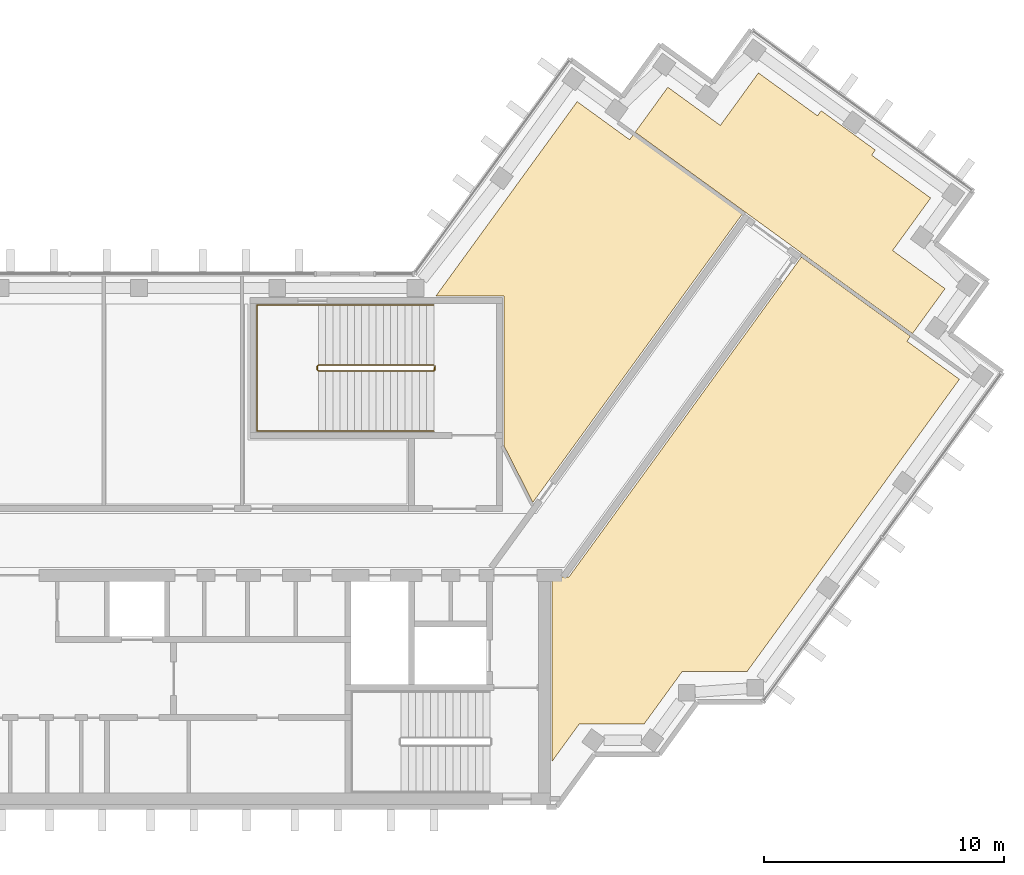
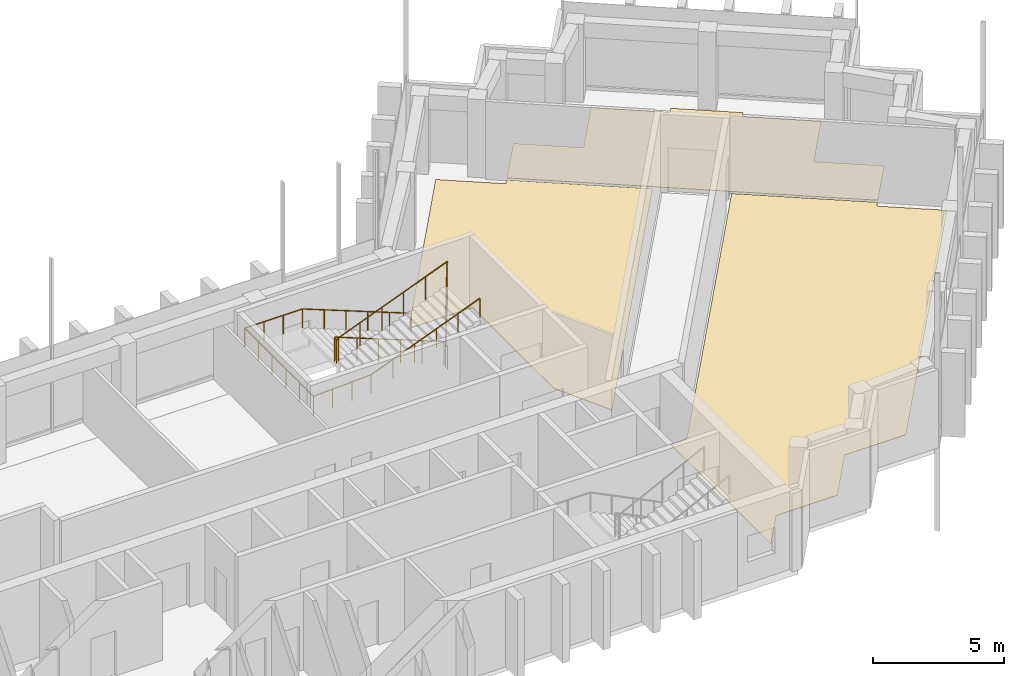
# One storey, part 13 of 13: 3 coverings, 2 railings.
"""IFC4 building model written with IfcOpenShell, lengths in metres."""

from ifc_helpers import new_model, si_unit, direction, frame, origin, origin_2d, place, context, subcontext, project, spatial, polyline, circle, outline, extrude, material, layer, layer_set, type_object, element, save


model = new_model("IFC4")

# Units and contexts
model_context = context("Model", 3, precision=1e-05, world=origin(), true_north=direction((0.0, 1.0)))
body_context = subcontext(model_context, "Body", "Model", "MODEL_VIEW")
ifc_project = project(units=[si_unit("LENGTHUNIT", "METRE"), si_unit("AREAUNIT", "SQUARE_METRE"), si_unit("VOLUMEUNIT", "CUBIC_METRE"), si_unit("PLANEANGLEUNIT", "RADIAN"), si_unit("MASSUNIT", "GRAM", prefix="KILO")], contexts=[model_context])

# Site, building, storey
site_placement = place(None, origin())
site = spatial("IfcSite", under=ifc_project, at=site_placement, CompositionType="ELEMENT")
building_placement = place(site_placement, origin())
building = spatial("IfcBuilding", under=site, at=building_placement, Name="Quipu Civic Tower", CompositionType="ELEMENT")
storey_placement = place(building_placement, frame((0.0, 0.0, 285.0)))
storey = spatial("IfcBuildingStorey", under=building, at=storey_placement, Name="L66", CompositionType="ELEMENT", Elevation=285.0)

# Coverings
ifc_material_1 = material(Name="Carpet tile on raised access floor")
ifc_layer = layer(ifc_material_1, 0.02001953125)
ifc_layer_set = layer_set([ifc_layer], Name="Carpet tile on raised access floor")
covering_type = type_object("IfcCoveringType", Name="Carpet tile floor finish 20", PredefinedType="FLOORING", material=ifc_layer_set)
covering_1_placement = place(storey_placement, origin())
element("IfcCovering", 1, at=covering_1_placement, inside=storey, type_object=covering_type, Name="Carpet tile floor finish 20", PredefinedType="FLOORING", context=body_context, shape_type="SweptSolid", body=[
    extrude(outline(polyline([(15.238037109375, 10.169921875), (21.115966796875, 18.260986328125), (23.299072265625, 16.676025390625), (23.447998046875, 16.876953125), (27.987060546875, 13.5791015625), (19.27197265625, 1.583984375), (18.070068359375, 3.94189453125), (18.070068359375, 10.1689453125), (15.238037109375, 10.169921875)])), origin(), (0.0, 0.0, 1.0), 0.02001953125),
])
covering_2_placement = place(storey_placement, origin())
element("IfcCovering", 2, at=covering_2_placement, inside=storey, type_object=covering_type, Name="Carpet tile floor finish 20", PredefinedType="FLOORING", context=body_context, shape_type="SweptSolid", body=[
    extrude(outline(polyline([(23.531005859375, 16.989013671875), (24.888916015625, 18.85791015625), (27.073974609375, 17.27197265625), (28.658935546875, 19.455078125), (31.116943359375, 17.6708984375), (31.27099609375, 17.8798828125), (33.52197265625, 16.2451171875), (33.3701171875, 16.032958984375), (35.826904296875, 14.248046875), (34.240966796875, 12.06396484375), (36.425048828125, 10.47705078125), (35.068115234375, 8.60791015625), (23.531005859375, 16.989013671875)])), origin(), (0.0, 0.0, 1.0), 0.02001953125),
])
covering_3_placement = place(storey_placement, origin())
element("IfcCovering", 3, at=covering_3_placement, inside=storey, type_object=covering_type, Name="Carpet tile floor finish 20", PredefinedType="FLOORING", context=body_context, shape_type="SweptSolid", body=[
    extrude(outline(polyline([(20.070068359375, -9.195068359375), (20.070068359375, -1.52001953125), (20.77490234375, -1.51904296875), (30.446044921875, 11.7919921875), (34.985107421875, 8.493896484375), (34.839111328125, 8.291015625), (37.02197265625, 6.7060546875), (28.181884765625, -5.4609375), (25.48193359375, -5.4619140625), (23.89501953125, -7.64599609375), (21.196044921875, -7.64599609375), (20.070068359375, -9.195068359375)])), origin(), (0.0, 0.0, 1.0), 0.02001953125),
])

# Railings
ifc_material_2 = material(Name="Stainless steel", Category="steel")
railing_type_1 = type_object("IfcRailingType", Name="Stair guard 1100", PredefinedType="GUARDRAIL", material=ifc_material_2)
railing_1_placement = place(storey_placement, frame((15.14990234375, 7.300048828125, 0.11767578125)))
element("IfcRailing", 4, at=railing_1_placement, inside=storey, type_object=railing_type_1, Name="Stair 4 guard", PredefinedType="GUARDRAIL", context=body_context, shape_type="SweptSolid", body=[
    extrude(circle(Radius=0.02392578125, at=origin_2d()), frame((0.0, 0.0, 1.076171875), z_axis=(-0.930970042603, 0.0, 0.365095576219), x_axis=(0.0, -1.0, 0.0)), (0.0, 0.0, 1.0), 5.15576171875),
    extrude(circle(Radius=0.02392578125, at=origin_2d()), frame((-4.7998046875, 0.0, 2.95849609375), z_axis=(-0.707106781187, -0.707106781187, 0.0), x_axis=(0.707106781187, -0.707106781187, 0.0)), (0.0, 0.0, 1.0), 0.07080078125),
    extrude(circle(Radius=0.02392578125, at=origin_2d()), frame((-4.849853515625, -0.050048828125, 2.95849609375), z_axis=(0.0, -1.0, 0.0), x_axis=(1.0, 0.0, 0.0)), (0.0, 0.0, 1.0), 0.14990234375),
    extrude(circle(Radius=0.02392578125, at=origin_2d()), frame((-4.849853515625, -0.199951171875, 2.95849609375), z_axis=(0.364463019033, -0.364463019033, 0.856932561824), x_axis=(0.707106781187, 0.707106781187, 0.0)), (0.0, 0.0, 1.0), 0.13720703125),
    extrude(circle(Radius=0.02392578125, at=origin_2d()), frame((-4.7998046875, -0.25, 3.076171875), z_axis=(0.930970042603, 0.0, 0.365095576219), x_axis=(0.0, 1.0, 0.0)), (0.0, 0.0, 1.0), 5.15576171875),
    extrude(circle(Radius=0.02392578125, at=origin_2d()), frame((0.0, -0.25, 4.95849609375), z_axis=(0.012495627992, 0.049921557685, -0.998674970829), x_axis=(-0.970072785993, 0.242814311512, 0.0)), (0.0, 0.0, 1.0), 4.00537109375),
    extrude(circle(Radius=0.02392578125, at=origin_2d()), frame((0.050048828125, -0.050048828125, 0.95849609375), z_axis=(0.0, -1.0, 0.0), x_axis=(1.0, 0.0, 0.0)), (0.0, 0.0, 1.0), 0.14990234375),
    extrude(circle(Radius=0.02099609375, at=origin_2d()), origin(), (0.0, 0.0, 1.0), 1.052001953125),
    extrude(circle(Radius=0.02099609375, at=origin_2d()), frame((-0.9599609375, 0.0, 0.37646484375)), (0.0, 0.0, 1.0), 1.052001953125),
    extrude(circle(Radius=0.02099609375, at=origin_2d()), frame((-1.919921875, 0.0, 0.7529296875)), (0.0, 0.0, 1.0), 1.052001953125),
    extrude(circle(Radius=0.02099609375, at=origin_2d()), frame((-2.8798828125, 0.0, 1.12939453125)), (0.0, 0.0, 1.0), 1.052001953125),
    extrude(circle(Radius=0.02099609375, at=origin_2d()), frame((-3.83984375, 0.0, 1.505859375)), (0.0, 0.0, 1.0), 1.052001953125),
    extrude(circle(Radius=0.02099609375, at=origin_2d()), frame((-4.7998046875, 0.0, 1.88232421875)), (0.0, 0.0, 1.0), 1.052001953125),
    extrude(circle(Radius=0.02099609375, at=origin_2d()), frame((-4.849853515625, -0.050048828125, 1.88232421875)), (0.0, 0.0, 1.0), 1.052001953125),
    extrude(circle(Radius=0.02099609375, at=origin_2d()), frame((-4.849853515625, -0.199951171875, 1.88232421875)), (0.0, 0.0, 1.0), 1.052001953125),
    extrude(circle(Radius=0.02099609375, at=origin_2d()), frame((-4.7998046875, -0.25, 2.0)), (0.0, 0.0, 1.0), 1.052001953125),
    extrude(circle(Radius=0.02099609375, at=origin_2d()), frame((-3.83984375, -0.25, 2.37646484375)), (0.0, 0.0, 1.0), 1.052001953125),
    extrude(circle(Radius=0.02099609375, at=origin_2d()), frame((-2.8798828125, -0.25, 2.7529296875)), (0.0, 0.0, 1.0), 1.052001953125),
    extrude(circle(Radius=0.02099609375, at=origin_2d()), frame((-1.919921875, -0.25, 3.12939453125)), (0.0, 0.0, 1.0), 1.052001953125),
    extrude(circle(Radius=0.02099609375, at=origin_2d()), frame((-0.9599609375, -0.25, 3.505859375)), (0.0, 0.0, 1.0), 1.052001953125),
    extrude(circle(Radius=0.02099609375, at=origin_2d()), frame((0.0, -0.25, 3.88232421875)), (0.0, 0.0, 1.0), 1.052001953125),
    extrude(circle(Radius=0.02099609375, at=origin_2d()), frame((0.012451171875, -0.199951171875, 2.88232421875)), (0.0, 0.0, 1.0), 1.052001953125),
    extrude(circle(Radius=0.02099609375, at=origin_2d()), frame((0.02490234375, -0.14990234375, 1.88232421875)), (0.0, 0.0, 1.0), 1.052001953125),
    extrude(circle(Radius=0.02099609375, at=origin_2d()), frame((0.03759765625, -0.10009765625, 0.88232421875)), (0.0, 0.0, 1.0), 1.052001953125),
    extrude(circle(Radius=0.02099609375, at=origin_2d()), frame((0.050048828125, -0.050048828125, -0.11767578125)), (0.0, 0.0, 1.0), 1.052001953125),
    extrude(circle(Radius=0.02099609375, at=origin_2d()), frame((0.050048828125, -0.199951171875, -0.11767578125)), (0.0, 0.0, 1.0), 1.052001953125),
])
ifc_material_3 = material(Name="Stainless steel", Category="steel")
railing_type_2 = type_object("IfcRailingType", Name="Stair handrail", PredefinedType="HANDRAIL", material=ifc_material_3)
railing_2_placement = place(storey_placement, frame((15.14990234375, 9.800048828125, 0.11767578125)))
element("IfcRailing", 5, at=railing_2_placement, inside=storey, type_object=railing_type_2, Name="Stair 4 handrail", PredefinedType="HANDRAIL", context=body_context, shape_type="SweptSolid", body=[
    extrude(circle(Radius=0.02392578125, at=origin_2d()), frame((0.0, 0.0, 0.8759765625), z_axis=(-0.930970042603, 0.0, 0.365095576219), x_axis=(0.0, -1.0, 0.0)), (0.0, 0.0, 1.0), 5.15576171875),
    extrude(circle(Radius=0.02392578125, at=origin_2d()), frame((-4.7998046875, 0.0, 2.75830078125), z_axis=(-1.0, 0.0, 0.0), x_axis=(0.0, -1.0, 0.0)), (0.0, 0.0, 1.0), 2.550048828125),
    extrude(circle(Radius=0.02392578125, at=origin_2d()), frame((-7.349853515625, 0.0, 2.75830078125), z_axis=(0.0, -1.0, 0.0), x_axis=(1.0, 0.0, 0.0)), (0.0, 0.0, 1.0), 5.25),
    extrude(circle(Radius=0.02392578125, at=origin_2d()), frame((-7.349853515625, -5.25, 2.75830078125), z_axis=(0.998936948642, 0.0, 0.04609742549), x_axis=(0.0, 1.0, 0.0)), (0.0, 0.0, 1.0), 2.552734375),
    extrude(circle(Radius=0.02392578125, at=origin_2d()), frame((-4.7998046875, -5.25, 2.8759765625), z_axis=(0.930970042603, 0.0, 0.365095576219), x_axis=(0.0, 1.0, 0.0)), (0.0, 0.0, 1.0), 5.15576171875),
    extrude(circle(Radius=0.02099609375, at=origin_2d()), origin(), (0.0, 0.0, 1.0), 0.851806640625),
    extrude(circle(Radius=0.02099609375, at=origin_2d()), frame((-0.9599609375, 0.0, 0.37646484375)), (0.0, 0.0, 1.0), 0.851806640625),
    extrude(circle(Radius=0.02099609375, at=origin_2d()), frame((-1.919921875, 0.0, 0.7529296875)), (0.0, 0.0, 1.0), 0.851806640625),
    extrude(circle(Radius=0.02099609375, at=origin_2d()), frame((-2.8798828125, 0.0, 1.12939453125)), (0.0, 0.0, 1.0), 0.851806640625),
    extrude(circle(Radius=0.02099609375, at=origin_2d()), frame((-3.83984375, 0.0, 1.505859375)), (0.0, 0.0, 1.0), 0.851806640625),
    extrude(circle(Radius=0.02099609375, at=origin_2d()), frame((-4.7998046875, 0.0, 1.88232421875)), (0.0, 0.0, 1.0), 0.851806640625),
    extrude(circle(Radius=0.02099609375, at=origin_2d()), frame((-5.64990234375, 0.0, 1.88232421875)), (0.0, 0.0, 1.0), 0.851806640625),
    extrude(circle(Radius=0.02099609375, at=origin_2d()), frame((-6.499755859375, 0.0, 1.88232421875)), (0.0, 0.0, 1.0), 0.851806640625),
    extrude(circle(Radius=0.02099609375, at=origin_2d()), frame((-7.349853515625, 0.0, 1.88232421875)), (0.0, 0.0, 1.0), 0.851806640625),
    extrude(circle(Radius=0.02099609375, at=origin_2d()), frame((-7.349853515625, -1.050048828125, 1.88232421875)), (0.0, 0.0, 1.0), 0.851806640625),
    extrude(circle(Radius=0.02099609375, at=origin_2d()), frame((-7.349853515625, -2.10009765625, 1.88232421875)), (0.0, 0.0, 1.0), 0.851806640625),
    extrude(circle(Radius=0.02099609375, at=origin_2d()), frame((-7.349853515625, -3.14990234375, 1.88232421875)), (0.0, 0.0, 1.0), 0.851806640625),
    extrude(circle(Radius=0.02099609375, at=origin_2d()), frame((-7.349853515625, -4.199951171875, 1.88232421875)), (0.0, 0.0, 1.0), 0.851806640625),
    extrude(circle(Radius=0.02099609375, at=origin_2d()), frame((-7.349853515625, -5.25, 1.88232421875)), (0.0, 0.0, 1.0), 0.851806640625),
    extrude(circle(Radius=0.02099609375, at=origin_2d()), frame((-6.499755859375, -5.25, 1.921630859375)), (0.0, 0.0, 1.0), 0.851806640625),
    extrude(circle(Radius=0.02099609375, at=origin_2d()), frame((-5.64990234375, -5.25, 1.960693359375)), (0.0, 0.0, 1.0), 0.851806640625),
    extrude(circle(Radius=0.02099609375, at=origin_2d()), frame((-4.7998046875, -5.25, 2.0)), (0.0, 0.0, 1.0), 0.851806640625),
    extrude(circle(Radius=0.02099609375, at=origin_2d()), frame((-3.83984375, -5.25, 2.37646484375)), (0.0, 0.0, 1.0), 0.851806640625),
    extrude(circle(Radius=0.02099609375, at=origin_2d()), frame((-2.8798828125, -5.25, 2.7529296875)), (0.0, 0.0, 1.0), 0.851806640625),
    extrude(circle(Radius=0.02099609375, at=origin_2d()), frame((-1.919921875, -5.25, 3.12939453125)), (0.0, 0.0, 1.0), 0.851806640625),
    extrude(circle(Radius=0.02099609375, at=origin_2d()), frame((-0.9599609375, -5.25, 3.505859375)), (0.0, 0.0, 1.0), 0.851806640625),
    extrude(circle(Radius=0.02099609375, at=origin_2d()), frame((0.0, -5.25, 3.88232421875)), (0.0, 0.0, 1.0), 0.851806640625),
])

save(model, "model.ifc")
